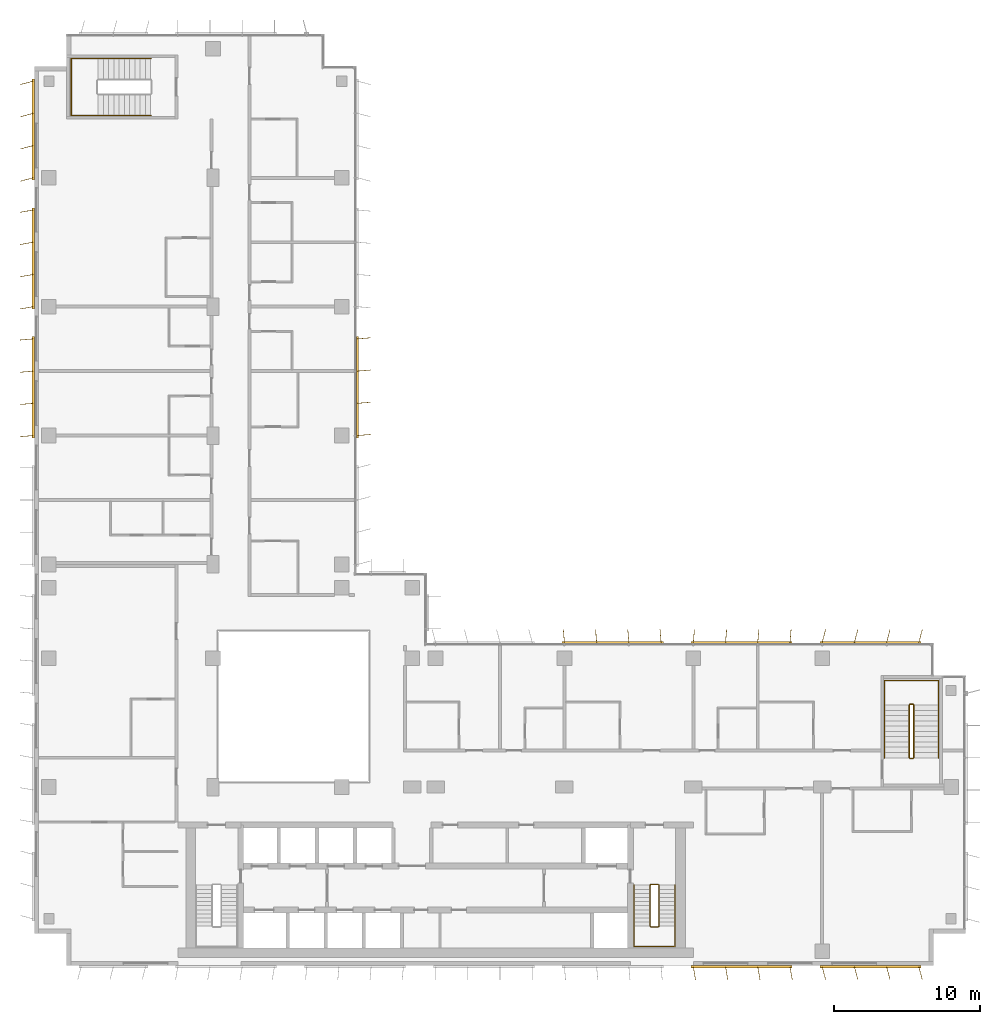
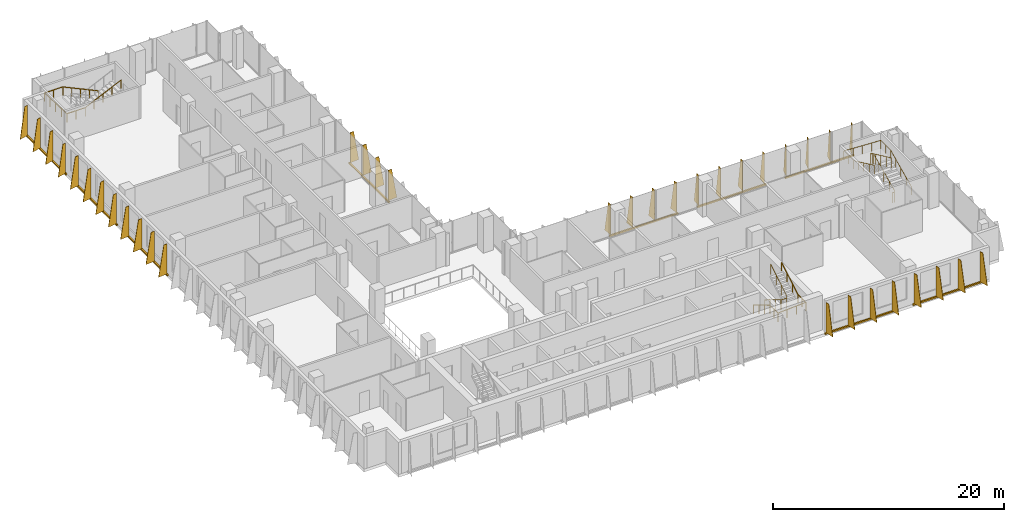
# One storey, part 20 of 21: 9 shading devices, 5 railings.
"""IFC4 building model written with IfcOpenShell, lengths in metres."""

from ifc_helpers import new_model, si_unit, direction, frame, origin, origin_2d, place, context, subcontext, project, spatial, polyline, rectangle, circle, outline, extrude, source, transform, mapped, material, layer, layer_set, type_object, element, save


model = new_model("IFC4")

# Units and contexts
model_context = context("Model", 3, precision=1e-05, world=origin(), true_north=direction((0.0, 1.0)))
body_context = subcontext(model_context, "Body", "Model", "MODEL_VIEW")
ifc_project = project(units=[si_unit("LENGTHUNIT", "METRE"), si_unit("AREAUNIT", "SQUARE_METRE"), si_unit("VOLUMEUNIT", "CUBIC_METRE"), si_unit("PLANEANGLEUNIT", "RADIAN"), si_unit("MASSUNIT", "GRAM", prefix="KILO")], contexts=[model_context])

# Site, building, storey
site_placement = place(None, origin())
site = spatial("IfcSite", under=ifc_project, at=site_placement, CompositionType="ELEMENT")
building_placement = place(site_placement, origin())
building = spatial("IfcBuilding", under=site, at=building_placement, Name="Kemantara Hotel Tower", CompositionType="ELEMENT")
storey_placement = place(building_placement, frame((0.0, 0.0, 164.199951171875)))
storey = spatial("IfcBuildingStorey", under=building, at=storey_placement, Name="L40", CompositionType="ELEMENT", Elevation=164.199951171875)

# Railings
ifc_material_1 = material(Name="Stainless steel balustrade", Category="steel")
railing_type_1 = type_object("IfcRailingType", Name="Stair guard 1100 mm", PredefinedType="GUARDRAIL", material=ifc_material_1)
railing_1_placement = place(storey_placement, frame((42.64990234375, 5.5, 3.699951171875)))
element("IfcRailing", 1, at=railing_1_placement, inside=storey, type_object=railing_type_1, Name="L40 ST2 stair guard 1", PredefinedType="GUARDRAIL", context=body_context, shape_type="SweptSolid", body=[
    extrude(circle(Radius=0.02392578125, at=origin_2d()), frame((0.0, 0.0, 1.076171875), z_axis=(0.0, -0.857275202839, -0.514858452973), x_axis=(1.0, 0.0, 0.0)), (0.0, 0.0, 1.0), 3.26611328125),
    extrude(circle(Radius=0.02392578125, at=origin_2d()), frame((0.0, -2.800048828125, -0.60546875), z_axis=(-0.273006030465, -0.27434429532, -0.922064485248), x_axis=(0.708833529934, -0.705375805398, 0.0)), (0.0, 0.0, 1.0), 0.182373046875),
    extrude(circle(Radius=0.02392578125, at=origin_2d()), frame((-0.0498046875, -2.85009765625, -0.77392578125), z_axis=(-1.0, 0.0, 0.0), x_axis=(0.0, -1.0, 0.0)), (0.0, 0.0, 1.0), 0.5),
    extrude(circle(Radius=0.02392578125, at=origin_2d()), frame((-0.5498046875, -2.85009765625, -0.77392578125), z_axis=(-0.707106781187, 0.707106781187, 0.0), x_axis=(-0.707106781187, -0.707106781187, 0.0)), (0.0, 0.0, 1.0), 0.07080078125),
    extrude(circle(Radius=0.02392578125, at=origin_2d()), frame((-0.599853515625, -2.800048828125, -0.77392578125), z_axis=(0.0, 0.857242210791, -0.514913383045), x_axis=(-1.0, 0.0, 0.0)), (0.0, 0.0, 1.0), 3.266357421875),
    extrude(circle(Radius=0.02392578125, at=origin_2d()), frame((-0.599853515625, 0.0, -2.45556640625), z_axis=(0.274243871929, 0.274243871929, -0.92172696468), x_axis=(-0.707106781187, 0.707106781187, 0.0)), (0.0, 0.0, 1.0), 0.1826171875),
    extrude(circle(Radius=0.02392578125, at=origin_2d()), frame((-0.5498046875, 0.050048828125, -2.6240234375), z_axis=(1.0, 0.0, 0.0), x_axis=(0.0, 1.0, 0.0)), (0.0, 0.0, 1.0), 0.5),
    extrude(circle(Radius=0.02099609375, at=origin_2d()), origin(), (0.0, 0.0, 1.0), 1.052001953125),
    extrude(circle(Radius=0.02099609375, at=origin_2d()), frame((0.0, -0.933349609375, -0.560546875)), (0.0, 0.0, 1.0), 1.052001953125),
    extrude(circle(Radius=0.02099609375, at=origin_2d()), frame((0.0, -1.86669921875, -1.12109375)), (0.0, 0.0, 1.0), 1.052001953125),
    extrude(circle(Radius=0.02099609375, at=origin_2d()), frame((0.0, -2.800048828125, -1.681640625)), (0.0, 0.0, 1.0), 1.052001953125),
    extrude(circle(Radius=0.02099609375, at=origin_2d()), frame((-0.0498046875, -2.85009765625, -1.849853515625)), (0.0, 0.0, 1.0), 1.052001953125),
    extrude(circle(Radius=0.02099609375, at=origin_2d()), frame((-0.5498046875, -2.85009765625, -1.849853515625)), (0.0, 0.0, 1.0), 1.052001953125),
    extrude(circle(Radius=0.02099609375, at=origin_2d()), frame((-0.599853515625, -2.800048828125, -1.849853515625)), (0.0, 0.0, 1.0), 1.052001953125),
    extrude(circle(Radius=0.02099609375, at=origin_2d()), frame((-0.599853515625, -1.86669921875, -2.410400390625)), (0.0, 0.0, 1.0), 1.052001953125),
    extrude(circle(Radius=0.02099609375, at=origin_2d()), frame((-0.599853515625, -0.933349609375, -2.97119140625)), (0.0, 0.0, 1.0), 1.052001953125),
    extrude(circle(Radius=0.02099609375, at=origin_2d()), frame((-0.599853515625, 0.0, -3.53173828125)), (0.0, 0.0, 1.0), 1.052001953125),
    extrude(circle(Radius=0.02099609375, at=origin_2d()), frame((-0.5498046875, 0.050048828125, -3.699951171875)), (0.0, 0.0, 1.0), 1.052001953125),
    extrude(circle(Radius=0.02099609375, at=origin_2d()), frame((-0.0498046875, 0.050048828125, -3.699951171875)), (0.0, 0.0, 1.0), 1.052001953125),
])
railing_2_placement = place(storey_placement, frame((59.75, 14.199951171875, 3.699951171875)))
element("IfcRailing", 2, at=railing_2_placement, inside=storey, type_object=railing_type_1, Name="L40 ST3 stair guard 1", PredefinedType="GUARDRAIL", context=body_context, shape_type="SweptSolid", body=[
    extrude(circle(Radius=0.02392578125, at=origin_2d()), frame((0.0, 0.0, 1.076171875), z_axis=(0.0, 0.906029249863, -0.423215073447), x_axis=(-1.0, 0.0, 0.0)), (0.0, 0.0, 1.0), 3.973388671875),
    extrude(circle(Radius=0.02392578125, at=origin_2d()), frame((0.0, 3.60009765625, -0.60546875), z_axis=(0.274243871929, 0.274243871929, -0.92172696468), x_axis=(-0.707106781187, 0.707106781187, 0.0)), (0.0, 0.0, 1.0), 0.1826171875),
    extrude(circle(Radius=0.02392578125, at=origin_2d()), frame((0.050048828125, 3.650146484375, -0.77392578125), z_axis=(1.0, 0.0, 0.0), x_axis=(0.0, 1.0, 0.0)), (0.0, 0.0, 1.0), 0.199951171875),
    extrude(circle(Radius=0.02392578125, at=origin_2d()), frame((0.25, 3.650146484375, -0.77392578125), z_axis=(0.707106781187, -0.707106781187, 0.0), x_axis=(0.707106781187, 0.707106781187, 0.0)), (0.0, 0.0, 1.0), 0.07080078125),
    extrude(circle(Radius=0.02392578125, at=origin_2d()), frame((0.300048828125, 3.60009765625, -0.77392578125), z_axis=(0.0, -0.906005689286, -0.423265508849), x_axis=(1.0, 0.0, 0.0)), (0.0, 0.0, 1.0), 3.9736328125),
    extrude(circle(Radius=0.02392578125, at=origin_2d()), frame((0.300048828125, 0.0, -2.45556640625), z_axis=(-0.274243871929, -0.274243871929, -0.92172696468), x_axis=(0.707106781187, -0.707106781187, 0.0)), (0.0, 0.0, 1.0), 0.1826171875),
    extrude(circle(Radius=0.02392578125, at=origin_2d()), frame((0.25, -0.050048828125, -2.6240234375), z_axis=(-1.0, 0.0, 0.0), x_axis=(0.0, -1.0, 0.0)), (0.0, 0.0, 1.0), 0.199951171875),
    extrude(circle(Radius=0.02099609375, at=origin_2d()), origin(), (0.0, 0.0, 1.0), 1.052001953125),
    extrude(circle(Radius=0.02099609375, at=origin_2d()), frame((0.0, 0.89990234375, -0.42041015625)), (0.0, 0.0, 1.0), 1.052001953125),
    extrude(circle(Radius=0.02099609375, at=origin_2d()), frame((0.0, 1.800048828125, -0.8408203125)), (0.0, 0.0, 1.0), 1.052001953125),
    extrude(circle(Radius=0.02099609375, at=origin_2d()), frame((0.0, 2.7001953125, -1.26123046875)), (0.0, 0.0, 1.0), 1.052001953125),
    extrude(circle(Radius=0.02099609375, at=origin_2d()), frame((0.0, 3.60009765625, -1.681640625)), (0.0, 0.0, 1.0), 1.052001953125),
    extrude(circle(Radius=0.02099609375, at=origin_2d()), frame((0.050048828125, 3.650146484375, -1.849853515625)), (0.0, 0.0, 1.0), 1.052001953125),
    extrude(circle(Radius=0.02099609375, at=origin_2d()), frame((0.25, 3.650146484375, -1.849853515625)), (0.0, 0.0, 1.0), 1.052001953125),
    extrude(circle(Radius=0.02099609375, at=origin_2d()), frame((0.300048828125, 3.60009765625, -1.849853515625)), (0.0, 0.0, 1.0), 1.052001953125),
    extrude(circle(Radius=0.02099609375, at=origin_2d()), frame((0.300048828125, 2.7001953125, -2.270263671875)), (0.0, 0.0, 1.0), 1.052001953125),
    extrude(circle(Radius=0.02099609375, at=origin_2d()), frame((0.300048828125, 1.800048828125, -2.69091796875)), (0.0, 0.0, 1.0), 1.052001953125),
    extrude(circle(Radius=0.02099609375, at=origin_2d()), frame((0.300048828125, 0.89990234375, -3.111328125)), (0.0, 0.0, 1.0), 1.052001953125),
    extrude(circle(Radius=0.02099609375, at=origin_2d()), frame((0.300048828125, 0.0, -3.53173828125)), (0.0, 0.0, 1.0), 1.052001953125),
    extrude(circle(Radius=0.02099609375, at=origin_2d()), frame((0.25, -0.050048828125, -3.699951171875)), (0.0, 0.0, 1.0), 1.052001953125),
    extrude(circle(Radius=0.02099609375, at=origin_2d()), frame((0.050048828125, -0.050048828125, -3.699951171875)), (0.0, 0.0, 1.0), 1.052001953125),
])
railing_type_2 = type_object("IfcRailingType", Name="Stair handrail 900 mm", PredefinedType="HANDRAIL", material=ifc_material_1)
railing_3_placement = place(storey_placement, frame((40.949951171875, 5.5, 0.168212890625)))
element("IfcRailing", 3, at=railing_3_placement, inside=storey, type_object=railing_type_2, Name="L40 ST2 stair handrail 1", PredefinedType="HANDRAIL", context=body_context, shape_type="SweptSolid", body=[
    extrude(circle(Radius=0.02392578125, at=origin_2d()), frame((0.0, 0.0, 0.8759765625), z_axis=(0.0, -0.857242210791, 0.514913383045), x_axis=(1.0, 0.0, 0.0)), (0.0, 0.0, 1.0), 3.266357421875),
    extrude(circle(Radius=0.02392578125, at=origin_2d()), frame((0.0, -2.800048828125, 2.5576171875), z_axis=(0.0, -1.0, 0.0), x_axis=(1.0, 0.0, 0.0)), (0.0, 0.0, 1.0), 1.3798828125),
    extrude(circle(Radius=0.02392578125, at=origin_2d()), frame((0.0, -4.179931640625, 2.5576171875), z_axis=(0.998200367801, 0.0, 0.059966871865), x_axis=(0.0, 1.0, 0.0)), (0.0, 0.0, 1.0), 2.80517578125),
    extrude(circle(Radius=0.02392578125, at=origin_2d()), frame((2.800048828125, -4.179931640625, 2.72607421875), z_axis=(0.0, 1.0, 0.0), x_axis=(-1.0, 0.0, 0.0)), (0.0, 0.0, 1.0), 1.3798828125),
    extrude(circle(Radius=0.02392578125, at=origin_2d()), frame((2.800048828125, -2.800048828125, 2.72607421875), z_axis=(0.0, 0.857275202839, 0.514858452973), x_axis=(-1.0, 0.0, 0.0)), (0.0, 0.0, 1.0), 3.26611328125),
    extrude(circle(Radius=0.02099609375, at=origin_2d()), origin(), (0.0, 0.0, 1.0), 0.851806640625),
    extrude(circle(Radius=0.02099609375, at=origin_2d()), frame((0.0, -0.933349609375, 0.560546875)), (0.0, 0.0, 1.0), 0.851806640625),
    extrude(circle(Radius=0.02099609375, at=origin_2d()), frame((0.0, -1.86669921875, 1.121337890625)), (0.0, 0.0, 1.0), 0.851806640625),
    extrude(circle(Radius=0.02099609375, at=origin_2d()), frame((0.0, -2.800048828125, 1.681884765625)), (0.0, 0.0, 1.0), 0.851806640625),
    extrude(circle(Radius=0.02099609375, at=origin_2d()), frame((0.0, -3.489990234375, 1.681884765625)), (0.0, 0.0, 1.0), 0.851806640625),
    extrude(circle(Radius=0.02099609375, at=origin_2d()), frame((0.0, -4.179931640625, 1.681884765625)), (0.0, 0.0, 1.0), 0.851806640625),
    extrude(circle(Radius=0.02099609375, at=origin_2d()), frame((0.933349609375, -4.179931640625, 1.738037109375)), (0.0, 0.0, 1.0), 0.851806640625),
    extrude(circle(Radius=0.02099609375, at=origin_2d()), frame((1.86669921875, -4.179931640625, 1.7939453125)), (0.0, 0.0, 1.0), 0.851806640625),
    extrude(circle(Radius=0.02099609375, at=origin_2d()), frame((2.800048828125, -4.179931640625, 1.85009765625)), (0.0, 0.0, 1.0), 0.851806640625),
    extrude(circle(Radius=0.02099609375, at=origin_2d()), frame((2.800048828125, -3.489990234375, 1.85009765625)), (0.0, 0.0, 1.0), 0.851806640625),
    extrude(circle(Radius=0.02099609375, at=origin_2d()), frame((2.800048828125, -2.800048828125, 1.85009765625)), (0.0, 0.0, 1.0), 0.851806640625),
    extrude(circle(Radius=0.02099609375, at=origin_2d()), frame((2.800048828125, -1.86669921875, 2.41064453125)), (0.0, 0.0, 1.0), 0.851806640625),
    extrude(circle(Radius=0.02099609375, at=origin_2d()), frame((2.800048828125, -0.933349609375, 2.97119140625)), (0.0, 0.0, 1.0), 0.851806640625),
    extrude(circle(Radius=0.02099609375, at=origin_2d()), frame((2.800048828125, 0.0, 3.53173828125)), (0.0, 0.0, 1.0), 0.851806640625),
])
railing_4_placement = place(storey_placement, frame((61.75, 14.199951171875, 0.168212890625)))
element("IfcRailing", 4, at=railing_4_placement, inside=storey, type_object=railing_type_2, Name="L40 ST3 stair handrail 1", PredefinedType="HANDRAIL", context=body_context, shape_type="SweptSolid", body=[
    extrude(circle(Radius=0.02392578125, at=origin_2d()), frame((0.0, 0.0, 0.8759765625), z_axis=(0.0, 0.906005689286, 0.423265508849), x_axis=(-1.0, 0.0, 0.0)), (0.0, 0.0, 1.0), 3.9736328125),
    extrude(circle(Radius=0.02392578125, at=origin_2d()), frame((0.0, 3.60009765625, 2.5576171875), z_axis=(0.0, 1.0, 0.0), x_axis=(-1.0, 0.0, 0.0)), (0.0, 0.0, 1.0), 1.679931640625),
    extrude(circle(Radius=0.02392578125, at=origin_2d()), frame((0.0, 5.280029296875, 2.5576171875), z_axis=(-0.998968132438, 0.0, 0.045416631029), x_axis=(0.0, -1.0, 0.0)), (0.0, 0.0, 1.0), 3.703857421875),
    extrude(circle(Radius=0.02392578125, at=origin_2d()), frame((-3.699951171875, 5.280029296875, 2.72607421875), z_axis=(0.0, -1.0, 0.0), x_axis=(1.0, 0.0, 0.0)), (0.0, 0.0, 1.0), 1.679931640625),
    extrude(circle(Radius=0.02392578125, at=origin_2d()), frame((-3.699951171875, 3.60009765625, 2.72607421875), z_axis=(0.0, -0.906029249863, 0.423215073447), x_axis=(1.0, 0.0, 0.0)), (0.0, 0.0, 1.0), 3.973388671875),
    extrude(circle(Radius=0.02099609375, at=origin_2d()), origin(), (0.0, 0.0, 1.0), 0.851806640625),
    extrude(circle(Radius=0.02099609375, at=origin_2d()), frame((0.0, 0.89990234375, 0.42041015625)), (0.0, 0.0, 1.0), 0.851806640625),
    extrude(circle(Radius=0.02099609375, at=origin_2d()), frame((0.0, 1.800048828125, 0.8408203125)), (0.0, 0.0, 1.0), 0.851806640625),
    extrude(circle(Radius=0.02099609375, at=origin_2d()), frame((0.0, 2.7001953125, 1.261474609375)), (0.0, 0.0, 1.0), 0.851806640625),
    extrude(circle(Radius=0.02099609375, at=origin_2d()), frame((0.0, 3.60009765625, 1.681884765625)), (0.0, 0.0, 1.0), 0.851806640625),
    extrude(circle(Radius=0.02099609375, at=origin_2d()), frame((0.0, 4.43994140625, 1.681884765625)), (0.0, 0.0, 1.0), 0.851806640625),
    extrude(circle(Radius=0.02099609375, at=origin_2d()), frame((0.0, 5.280029296875, 1.681884765625)), (0.0, 0.0, 1.0), 0.851806640625),
    extrude(circle(Radius=0.02099609375, at=origin_2d()), frame((-0.925048828125, 5.280029296875, 1.723876953125)), (0.0, 0.0, 1.0), 0.851806640625),
    extrude(circle(Radius=0.02099609375, at=origin_2d()), frame((-1.85009765625, 5.280029296875, 1.76611328125)), (0.0, 0.0, 1.0), 0.851806640625),
    extrude(circle(Radius=0.02099609375, at=origin_2d()), frame((-2.77490234375, 5.280029296875, 1.80810546875)), (0.0, 0.0, 1.0), 0.851806640625),
    extrude(circle(Radius=0.02099609375, at=origin_2d()), frame((-3.699951171875, 5.280029296875, 1.85009765625)), (0.0, 0.0, 1.0), 0.851806640625),
    extrude(circle(Radius=0.02099609375, at=origin_2d()), frame((-3.699951171875, 4.43994140625, 1.85009765625)), (0.0, 0.0, 1.0), 0.851806640625),
    extrude(circle(Radius=0.02099609375, at=origin_2d()), frame((-3.699951171875, 3.60009765625, 1.85009765625)), (0.0, 0.0, 1.0), 0.851806640625),
    extrude(circle(Radius=0.02099609375, at=origin_2d()), frame((-3.699951171875, 2.7001953125, 2.2705078125)), (0.0, 0.0, 1.0), 0.851806640625),
    extrude(circle(Radius=0.02099609375, at=origin_2d()), frame((-3.699951171875, 1.800048828125, 2.69091796875)), (0.0, 0.0, 1.0), 0.851806640625),
    extrude(circle(Radius=0.02099609375, at=origin_2d()), frame((-3.699951171875, 0.89990234375, 3.111328125)), (0.0, 0.0, 1.0), 0.851806640625),
    extrude(circle(Radius=0.02099609375, at=origin_2d()), frame((-3.699951171875, 0.0, 3.53173828125)), (0.0, 0.0, 1.0), 0.851806640625),
])
railing_5_placement = place(storey_placement, frame((7.949951171875, 61.949951171875, 0.168212890625)))
element("IfcRailing", 5, at=railing_5_placement, inside=storey, type_object=railing_type_2, Name="L40 ST4 stair handrail 1", PredefinedType="HANDRAIL", context=body_context, shape_type="SweptSolid", body=[
    extrude(circle(Radius=0.02392578125, at=origin_2d()), frame((0.0, 0.0, 0.8759765625), z_axis=(-0.905994681025, 0.0, 0.423289071386), x_axis=(0.0, -1.0, 0.0)), (0.0, 0.0, 1.0), 3.973388671875),
    extrude(circle(Radius=0.02392578125, at=origin_2d()), frame((-3.599853515625, 0.0, 2.5576171875), z_axis=(-1.0, 0.0, 0.0), x_axis=(0.0, -1.0, 0.0)), (0.0, 0.0, 1.0), 1.830078125),
    extrude(circle(Radius=0.02392578125, at=origin_2d()), frame((-5.429931640625, 0.0, 2.5576171875), z_axis=(0.0, -0.999071085748, 0.043092523981), x_axis=(1.0, 0.0, 0.0)), (0.0, 0.0, 1.0), 3.903564453125),
    extrude(circle(Radius=0.02392578125, at=origin_2d()), frame((-5.429931640625, -3.89990234375, 2.72607421875), z_axis=(1.0, 0.0, 0.0), x_axis=(0.0, 1.0, 0.0)), (0.0, 0.0, 1.0), 1.830078125),
    extrude(circle(Radius=0.02392578125, at=origin_2d()), frame((-3.599853515625, -3.89990234375, 2.72607421875), z_axis=(0.906018243939, 0.0, 0.423238634402), x_axis=(0.0, 1.0, 0.0)), (0.0, 0.0, 1.0), 3.973388671875),
    extrude(circle(Radius=0.02099609375, at=origin_2d()), origin(), (0.0, 0.0, 1.0), 0.851806640625),
    extrude(circle(Radius=0.02099609375, at=origin_2d()), frame((-0.89990234375, 0.0, 0.42041015625)), (0.0, 0.0, 1.0), 0.851806640625),
    extrude(circle(Radius=0.02099609375, at=origin_2d()), frame((-1.7998046875, 0.0, 0.8408203125)), (0.0, 0.0, 1.0), 0.851806640625),
    extrude(circle(Radius=0.02099609375, at=origin_2d()), frame((-2.699951171875, 0.0, 1.261474609375)), (0.0, 0.0, 1.0), 0.851806640625),
    extrude(circle(Radius=0.02099609375, at=origin_2d()), frame((-3.599853515625, 0.0, 1.681884765625)), (0.0, 0.0, 1.0), 0.851806640625),
    extrude(circle(Radius=0.02099609375, at=origin_2d()), frame((-4.514892578125, 0.0, 1.681884765625)), (0.0, 0.0, 1.0), 0.851806640625),
    extrude(circle(Radius=0.02099609375, at=origin_2d()), frame((-5.429931640625, 0.0, 1.681884765625)), (0.0, 0.0, 1.0), 0.851806640625),
    extrude(circle(Radius=0.02099609375, at=origin_2d()), frame((-5.429931640625, -0.97509765625, 1.723876953125)), (0.0, 0.0, 1.0), 0.851806640625),
    extrude(circle(Radius=0.02099609375, at=origin_2d()), frame((-5.429931640625, -1.949951171875, 1.76611328125)), (0.0, 0.0, 1.0), 0.851806640625),
    extrude(circle(Radius=0.02099609375, at=origin_2d()), frame((-5.429931640625, -2.9248046875, 1.80810546875)), (0.0, 0.0, 1.0), 0.851806640625),
    extrude(circle(Radius=0.02099609375, at=origin_2d()), frame((-5.429931640625, -3.89990234375, 1.85009765625)), (0.0, 0.0, 1.0), 0.851806640625),
    extrude(circle(Radius=0.02099609375, at=origin_2d()), frame((-4.514892578125, -3.89990234375, 1.85009765625)), (0.0, 0.0, 1.0), 0.851806640625),
    extrude(circle(Radius=0.02099609375, at=origin_2d()), frame((-3.599853515625, -3.89990234375, 1.85009765625)), (0.0, 0.0, 1.0), 0.851806640625),
    extrude(circle(Radius=0.02099609375, at=origin_2d()), frame((-2.699951171875, -3.89990234375, 2.2705078125)), (0.0, 0.0, 1.0), 0.851806640625),
    extrude(circle(Radius=0.02099609375, at=origin_2d()), frame((-1.7998046875, -3.89990234375, 2.69091796875)), (0.0, 0.0, 1.0), 0.851806640625),
    extrude(circle(Radius=0.02099609375, at=origin_2d()), frame((-0.89990234375, -3.89990234375, 3.111328125)), (0.0, 0.0, 1.0), 0.851806640625),
    extrude(circle(Radius=0.02099609375, at=origin_2d()), frame((0.0, -3.89990234375, 3.53173828125)), (0.0, 0.0, 1.0), 0.851806640625),
])

# Shading devices
ifc_material_2 = material(Name="Perforated aluminium plate 4 mm bronze anodised", Category="aluminium")
ifc_layer_1 = layer(ifc_material_2, 0.0400390625)
ifc_layer_set_1 = layer_set([ifc_layer_1], Name="Perforated aluminium plate 4 mm bronze anodised")
shading_device_type_1 = type_object("IfcShadingDeviceType", Name="SCREEN FIN CASSETTE, 4 BLADES AT -5.0 DEG, 3200 HIGH", PredefinedType="USERDEFINED", material=ifc_layer_set_1)
shared_shape_1 = source(origin(), body_context, "Body", "SweptSolid", [
    extrude(rectangle(XDim=6.89990234375, YDim=0.14990234375, at=origin_2d()), frame((3.300048828125, -0.074951171875, -0.14990234375), z_axis=(0.0, 0.0, 1.0), x_axis=(1.0, 0.0, 0.0)), (0.0, 0.0, 1.0), 0.14990234375),
    extrude(outline(polyline([(0.0, 0.0), (0.89990234375, 0.0), (0.35009765625, 3.199951171875), (0.0, 3.199951171875), (0.0, 0.0)])), frame((0.02001953125, -0.07666015625, 0.0), z_axis=(-0.996376129781, 0.085056498884, 0.0), x_axis=(-0.085056498884, -0.996376129781, 0.0)), (0.0, 0.0, 1.0), 0.040283203125),
    extrude(outline(polyline([(0.0, 0.0), (0.89990234375, 0.0), (0.35009765625, 3.199951171875), (0.0, 3.199951171875), (0.0, 0.0)])), frame((2.219970703125, -0.07666015625, 0.0), z_axis=(-0.996331773833, 0.085574508182, 0.0), x_axis=(-0.085574508182, -0.996331773833, 0.0)), (0.0, 0.0, 1.0), 0.0400390625),
    extrude(outline(polyline([(0.0, 0.0), (0.89990234375, 0.0), (0.35009765625, 3.199951171875), (0.0, 3.199951171875), (0.0, 0.0)])), frame((4.419921875, -0.07666015625, 0.0), z_axis=(-0.996331773833, 0.085574508182, 0.0), x_axis=(-0.085574508182, -0.996331773833, 0.0)), (0.0, 0.0, 1.0), 0.0400390625),
    extrude(outline(polyline([(0.0, 0.0), (0.89990234375, 0.0), (0.35009765625, 3.199951171875), (0.0, 3.199951171875), (0.0, 0.0)])), frame((6.619873046875, -0.07666015625, 0.0), z_axis=(-0.996331773833, 0.085574508182, 0.0), x_axis=(-0.085574508182, -0.996331773833, 0.0)), (0.0, 0.0, 1.0), 0.0400390625),
])
shading_device_1_placement = place(storey_placement, frame((51.60009765625, 22.0, 0.10009765625), z_axis=(0.0, 0.0, 1.0), x_axis=(-1.0, 0.0, 0.0)))
element("IfcShadingDevice", 6, at=shading_device_1_placement, inside=storey, type_object=shading_device_type_1, Name="SCREEN FIN CASSETTE L40 T3-R14-2", ObjectType="SCREEN FIN", PredefinedType="USERDEFINED", context=body_context, shape_type="MappedRepresentation", body=[
    mapped(shared_shape_1, transform((0.0, 0.0, 0.0))),
])
ifc_layer_2 = layer(ifc_material_2, 0.0400390625)
ifc_layer_set_2 = layer_set([ifc_layer_2], Name="Perforated aluminium plate 4 mm bronze anodised")
shading_device_type_2 = type_object("IfcShadingDeviceType", Name="SCREEN FIN CASSETTE, 4 BLADES AT +5.0 DEG, 3200 HIGH", PredefinedType="USERDEFINED", material=ifc_layer_set_2)
shared_shape_2 = source(origin(), body_context, "Body", "SweptSolid", [
    extrude(rectangle(XDim=6.89990234375, YDim=0.14990234375, at=origin_2d()), frame((3.300048828125, -0.074951171875, -0.14990234375), z_axis=(0.0, 0.0, 1.0), x_axis=(1.0, 0.0, 0.0)), (0.0, 0.0, 1.0), 0.14990234375),
    extrude(outline(polyline([(0.0, 0.0), (0.89990234375, 0.0), (0.35009765625, 3.199951171875), (0.0, 3.199951171875), (0.0, 0.0)])), frame((0.02001953125, -0.0732421875, 0.0), z_axis=(-0.996376129781, -0.085056498884, 0.0), x_axis=(0.085056498884, -0.996376129781, 0.0)), (0.0, 0.0, 1.0), 0.040283203125),
    extrude(outline(polyline([(0.0, 0.0), (0.89990234375, 0.0), (0.35009765625, 3.199951171875), (0.0, 3.199951171875), (0.0, 0.0)])), frame((2.219970703125, -0.0732421875, 0.0), z_axis=(-0.996331773833, -0.085574508182, 0.0), x_axis=(0.085574508182, -0.996331773833, 0.0)), (0.0, 0.0, 1.0), 0.0400390625),
    extrude(outline(polyline([(0.0, 0.0), (0.89990234375, 0.0), (0.35009765625, 3.199951171875), (0.0, 3.199951171875), (0.0, 0.0)])), frame((4.419921875, -0.0732421875, 0.0), z_axis=(-0.996331773833, -0.085574508182, 0.0), x_axis=(0.085574508182, -0.996331773833, 0.0)), (0.0, 0.0, 1.0), 0.0400390625),
    extrude(outline(polyline([(0.0, 0.0), (0.89990234375, 0.0), (0.35009765625, 3.199951171875), (0.0, 3.199951171875), (0.0, 0.0)])), frame((6.619873046875, -0.0732421875, 0.0), z_axis=(-0.996331773833, -0.085574508182, 0.0), x_axis=(0.085574508182, -0.996331773833, 0.0)), (0.0, 0.0, 1.0), 0.0400390625),
])
for number, where, z_axis, x_axis, name in (
    (7, (0.0, 42.800048828125, 0.10009765625), (0.0, 0.0, 1.0), (0.0, -1.0, 0.0), "SCREEN FIN CASSETTE L40 T3-R05-3"),
    (8, (42.800048828125, 22.0, 0.10009765625), (0.0, 0.0, 1.0), (-1.0, 0.0, 0.0), "SCREEN FIN CASSETTE L40 T3-R14-3"),
    (9, (22.0, 36.199951171875, 0.10009765625), (0.0, 0.0, 1.0), (0.0, 1.0, 0.0), "SCREEN FIN CASSETTE L40 T3-R17-2"),
):
    element("IfcShadingDevice", number, at=place(storey_placement, frame(where, z_axis=z_axis, x_axis=x_axis)), inside=storey, type_object=shading_device_type_2, Name=name, ObjectType="SCREEN FIN", PredefinedType="USERDEFINED", context=body_context, shape_type="MappedRepresentation", body=[
        mapped(shared_shape_2, transform((0.0, 0.0, 0.0))),
    ])
ifc_layer_3 = layer(ifc_material_2, 0.0400390625)
ifc_layer_set_3 = layer_set([ifc_layer_3], Name="Perforated aluminium plate 4 mm bronze anodised")
shading_device_type_3 = type_object("IfcShadingDeviceType", Name="SCREEN FIN CASSETTE, 4 BLADES AT +10.0 DEG, 3200 HIGH", PredefinedType="USERDEFINED", material=ifc_layer_set_3)
shared_shape_3 = source(origin(), body_context, "Body", "SweptSolid", [
    extrude(rectangle(XDim=6.89990234375, YDim=0.14990234375, at=origin_2d()), frame((3.300048828125, -0.074951171875, -0.14990234375), z_axis=(0.0, 0.0, 1.0), x_axis=(1.0, 0.0, 0.0)), (0.0, 0.0, 1.0), 0.14990234375),
    extrude(outline(polyline([(0.0, 0.0), (0.89990234375, 0.0), (0.35009765625, 3.199951171875), (0.0, 3.199951171875), (0.0, 0.0)])), frame((0.019775390625, -0.071533203125, 0.0), z_axis=(-0.985389793052, -0.170314285219, 0.0), x_axis=(0.170314285219, -0.985389793052, 0.0)), (0.0, 0.0, 1.0), 0.0400390625),
    extrude(outline(polyline([(0.0, 0.0), (0.89990234375, 0.0), (0.35009765625, 3.199951171875), (0.0, 3.199951171875), (0.0, 0.0)])), frame((2.2197265625, -0.071533203125, 0.0), z_axis=(-0.98521175482, -0.171341174751, 0.0), x_axis=(0.171341174751, -0.98521175482, 0.0)), (0.0, 0.0, 1.0), 0.039794921875),
    extrude(outline(polyline([(0.0, 0.0), (0.89990234375, 0.0), (0.35009765625, 3.199951171875), (0.0, 3.199951171875), (0.0, 0.0)])), frame((4.419677734375, -0.071533203125, 0.0), z_axis=(-0.98521175482, -0.171341174751, 0.0), x_axis=(0.171341174751, -0.98521175482, 0.0)), (0.0, 0.0, 1.0), 0.039794921875),
    extrude(outline(polyline([(0.0, 0.0), (0.89990234375, 0.0), (0.35009765625, 3.199951171875), (0.0, 3.199951171875), (0.0, 0.0)])), frame((6.61962890625, -0.071533203125, 0.0), z_axis=(-0.98521175482, -0.171341174751, 0.0), x_axis=(0.171341174751, -0.98521175482, 0.0)), (0.0, 0.0, 1.0), 0.039794921875),
])
for number, where, z_axis, x_axis, name in (
    (10, (0.0, 51.60009765625, 0.10009765625), (0.0, 0.0, 1.0), (0.0, -1.0, 0.0), "SCREEN FIN CASSETTE L40 T3-R05-2"),
    (11, (45.0, 0.0, 0.10009765625), (0.0, 0.0, 1.0), (1.0, 0.0, 0.0), "SCREEN FIN CASSETTE L40 T3-R08-6"),
):
    element("IfcShadingDevice", number, at=place(storey_placement, frame(where, z_axis=z_axis, x_axis=x_axis)), inside=storey, type_object=shading_device_type_3, Name=name, ObjectType="SCREEN FIN", PredefinedType="USERDEFINED", context=body_context, shape_type="MappedRepresentation", body=[
        mapped(shared_shape_3, transform((0.0, 0.0, 0.0))),
    ])
ifc_layer_4 = layer(ifc_material_2, 0.0400390625)
ifc_layer_set_4 = layer_set([ifc_layer_4], Name="Perforated aluminium plate 4 mm bronze anodised")
shading_device_type_4 = type_object("IfcShadingDeviceType", Name="SCREEN FIN CASSETTE, 4 BLADES AT +15.0 DEG, 3200 HIGH", PredefinedType="USERDEFINED", material=ifc_layer_set_4)
shared_shape_4 = source(origin(), body_context, "Body", "SweptSolid", [
    extrude(rectangle(XDim=6.89990234375, YDim=0.14990234375, at=origin_2d()), frame((3.300048828125, -0.074951171875, -0.14990234375), z_axis=(0.0, 0.0, 1.0), x_axis=(1.0, 0.0, 0.0)), (0.0, 0.0, 1.0), 0.14990234375),
    extrude(outline(polyline([(0.0, 0.0), (0.89990234375, 0.0), (0.35009765625, 3.199951171875), (0.0, 3.199951171875), (0.0, 0.0)])), frame((0.019287109375, -0.06982421875, 0.0), z_axis=(-0.966437683387, -0.256901156343, 0.0), x_axis=(0.256901156343, -0.966437683387, 0.0)), (0.0, 0.0, 1.0), 0.039794921875),
    extrude(outline(polyline([(0.0, 0.0), (0.89990234375, 0.0), (0.35009765625, 3.199951171875), (0.0, 3.199951171875), (0.0, 0.0)])), frame((2.21923828125, -0.06982421875, 0.0), z_axis=(-0.966437683387, -0.256901156343, 0.0), x_axis=(0.256901156343, -0.966437683387, 0.0)), (0.0, 0.0, 1.0), 0.039794921875),
    extrude(outline(polyline([(0.0, 0.0), (0.89990234375, 0.0), (0.35009765625, 3.199951171875), (0.0, 3.199951171875), (0.0, 0.0)])), frame((4.41943359375, -0.06982421875, 0.0), z_axis=(-0.966837822169, -0.255391122837, 0.0), x_axis=(0.255391122837, -0.966837822169, 0.0)), (0.0, 0.0, 1.0), 0.0400390625),
    extrude(outline(polyline([(0.0, 0.0), (0.89990234375, 0.0), (0.35009765625, 3.199951171875), (0.0, 3.199951171875), (0.0, 0.0)])), frame((6.619384765625, -0.06982421875, 0.0), z_axis=(-0.966837822169, -0.255391122837, 0.0), x_axis=(0.255391122837, -0.966837822169, 0.0)), (0.0, 0.0, 1.0), 0.0400390625),
])
for number, where, z_axis, x_axis, name in (
    (12, (0.0, 60.39990234375, 0.10009765625), (0.0, 0.0, 1.0), (0.0, -1.0, 0.0), "SCREEN FIN CASSETTE L40 T3-R05-1"),
    (13, (53.800048828125, 0.0, 0.10009765625), (0.0, 0.0, 1.0), (1.0, 0.0, 0.0), "SCREEN FIN CASSETTE L40 T3-R08-7"),
):
    element("IfcShadingDevice", number, at=place(storey_placement, frame(where, z_axis=z_axis, x_axis=x_axis)), inside=storey, type_object=shading_device_type_4, Name=name, ObjectType="SCREEN FIN", PredefinedType="USERDEFINED", context=body_context, shape_type="MappedRepresentation", body=[
        mapped(shared_shape_4, transform((0.0, 0.0, 0.0))),
    ])
ifc_layer_5 = layer(ifc_material_2, 0.0400390625)
ifc_layer_set_5 = layer_set([ifc_layer_5], Name="Perforated aluminium plate 4 mm bronze anodised")
shading_device_type_5 = type_object("IfcShadingDeviceType", Name="SCREEN FIN CASSETTE, 4 BLADES AT -15.0 DEG, 3200 HIGH", PredefinedType="USERDEFINED", material=ifc_layer_set_5)
shared_shape_5 = source(origin(), body_context, "Body", "SweptSolid", [
    extrude(rectangle(XDim=6.89990234375, YDim=0.14990234375, at=origin_2d()), frame((3.300048828125, -0.074951171875, -0.14990234375), z_axis=(0.0, 0.0, 1.0), x_axis=(1.0, 0.0, 0.0)), (0.0, 0.0, 1.0), 0.14990234375),
    extrude(outline(polyline([(0.0, 0.0), (0.89990234375, 0.0), (0.35009765625, 3.199951171875), (0.0, 3.199951171875), (0.0, 0.0)])), frame((0.019287109375, -0.080078125, 0.0), z_axis=(-0.966437683387, 0.256901156343, 0.0), x_axis=(-0.256901156343, -0.966437683387, 0.0)), (0.0, 0.0, 1.0), 0.039794921875),
    extrude(outline(polyline([(0.0, 0.0), (0.89990234375, 0.0), (0.35009765625, 3.199951171875), (0.0, 3.199951171875), (0.0, 0.0)])), frame((2.21923828125, -0.080078125, 0.0), z_axis=(-0.966437683387, 0.256901156343, 0.0), x_axis=(-0.256901156343, -0.966437683387, 0.0)), (0.0, 0.0, 1.0), 0.039794921875),
    extrude(outline(polyline([(0.0, 0.0), (0.89990234375, 0.0), (0.35009765625, 3.199951171875), (0.0, 3.199951171875), (0.0, 0.0)])), frame((4.41943359375, -0.080078125, 0.0), z_axis=(-0.966837822169, 0.255391122837, 0.0), x_axis=(-0.255391122837, -0.966837822169, 0.0)), (0.0, 0.0, 1.0), 0.0400390625),
    extrude(outline(polyline([(0.0, 0.0), (0.89990234375, 0.0), (0.35009765625, 3.199951171875), (0.0, 3.199951171875), (0.0, 0.0)])), frame((6.619384765625, -0.080078125, 0.0), z_axis=(-0.966837822169, 0.255391122837, 0.0), x_axis=(-0.255391122837, -0.966837822169, 0.0)), (0.0, 0.0, 1.0), 0.0400390625),
])
shading_device_2_placement = place(storey_placement, frame((60.39990234375, 22.0, 0.10009765625), z_axis=(0.0, 0.0, 1.0), x_axis=(-1.0, 0.0, 0.0)))
element("IfcShadingDevice", 14, at=shading_device_2_placement, inside=storey, type_object=shading_device_type_5, Name="SCREEN FIN CASSETTE L40 T3-R14-1", ObjectType="SCREEN FIN", PredefinedType="USERDEFINED", context=body_context, shape_type="MappedRepresentation", body=[
    mapped(shared_shape_5, transform((0.0, 0.0, 0.0))),
])

save(model, "model.ifc")
